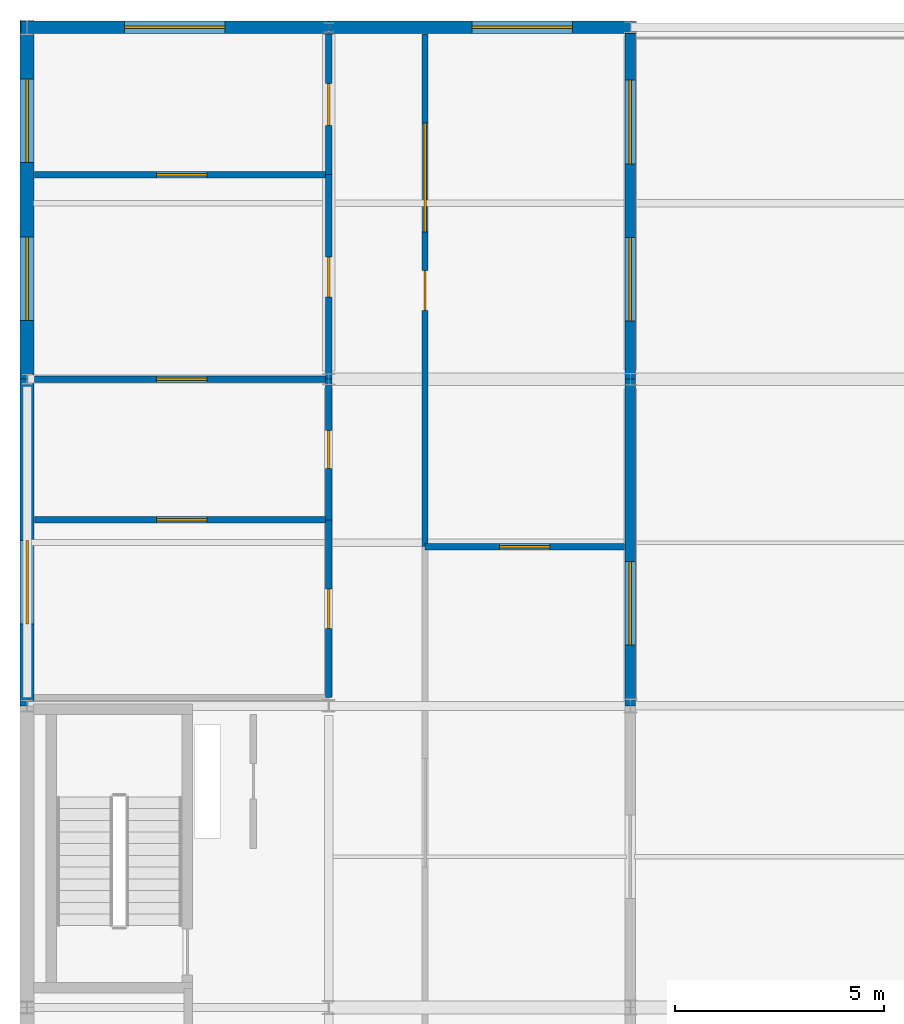
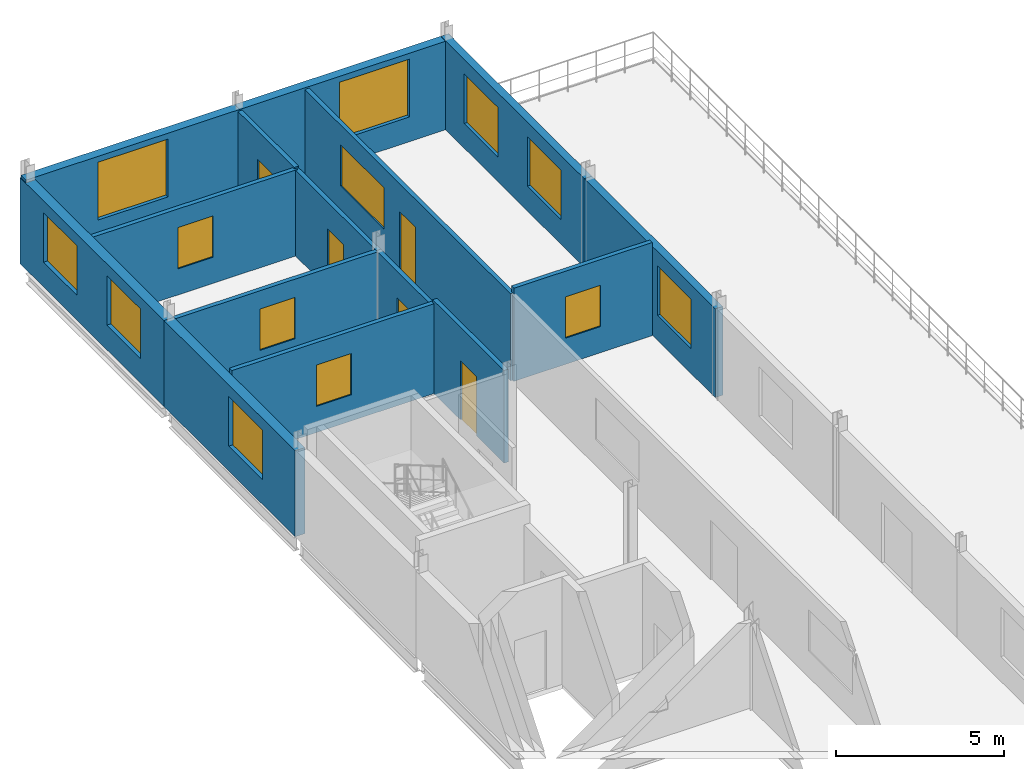
# One storey, part 10 of 14: 15 walls, 13 windows, 5 doors, 18 openings.
"""IFC4 building model written with IfcOpenShell, lengths in metres."""

from ifc_helpers import new_model, si_unit, direction, frame, frame_2d, origin, place, context, subcontext, project, spatial, rectangle, extrude, material, layer, layer_set, type_object, element, fill, save


model = new_model("IFC4")

# Units and contexts
model_context = context("Model", 3, precision=1e-05, world=origin(), true_north=direction((0.0, 1.0)))
body_context = subcontext(model_context, "Body", "Model", "MODEL_VIEW")
ifc_project = project(units=[si_unit("LENGTHUNIT", "METRE"), si_unit("AREAUNIT", "SQUARE_METRE"), si_unit("VOLUMEUNIT", "CUBIC_METRE"), si_unit("PLANEANGLEUNIT", "RADIAN"), si_unit("MASSUNIT", "GRAM", prefix="KILO")], contexts=[model_context])

# Site, building, storey
site_placement = place(None, origin())
site = spatial("IfcSite", under=ifc_project, at=site_placement, CompositionType="ELEMENT")
building_placement = place(site_placement, origin())
building = spatial("IfcBuilding", under=site, at=building_placement, Name="Vinh Khe Railworks Police Headquarters", CompositionType="ELEMENT")
storey_placement = place(building_placement, frame((0.0, 0.0, 32.699951171875)))
storey = spatial("IfcBuildingStorey", under=building, at=storey_placement, Name="L08", CompositionType="ELEMENT", Elevation=32.699951171875)

# Wall, opening, window
ifc_material_1 = material(Name="Clay brickwork", Category="masonry")
ifc_layer_1 = layer(ifc_material_1, 0.260009765625)
ifc_layer_set_1 = layer_set([ifc_layer_1], Name="Clay brickwork")
wall_type_1 = type_object("IfcWallType", Name="EW-BRK-260", PredefinedType="SOLIDWALL", material=ifc_layer_set_1)
wall_1_placement = place(storey_placement, frame((15.0, 88.199951171875, 0.0), z_axis=(0.0, 0.0, 1.0), x_axis=(0.0, 1.0, 0.0)))
wall_1 = element("IfcWall", 1, at=wall_1_placement, inside=storey, type_object=wall_type_1, Name="Exterior Brick Wall EW-L08-V5E-12", PredefinedType="SOLIDWALL", context=body_context, shape_type="SweptSolid", body=[
    extrude(rectangle(XDim=7.800048828125, YDim=0.260009765625, at=frame_2d((3.89990234375, 0.0))), origin(), (0.0, 0.0, 1.0), 3.22509765625),
])
opening_1_placement = place(wall_1_placement, frame((1.449951171875, 0.0, 0.89990234375)))
opening_1 = element("IfcOpeningElement", 2, at=opening_1_placement, cuts=wall_1, Name="Opening WN-04", PredefinedType="OPENING", context=body_context, shape_type="SweptSolid", body=[
    extrude(rectangle(XDim=2.0, YDim=1.800048828125, at=frame_2d((1.0, 0.89990234375))), frame((0.0, 0.14501953125, 0.0), z_axis=(0.0, -1.0, 0.0), x_axis=(1.0, 0.0, 0.0)), (0.0, 0.0, 1.0), 0.289794921875),
])
ifc_material_2 = material(Name="Double-glazed solar-control glass in dark steel frame", Category="steel")
window_type_1 = type_object("IfcWindowType", Name="WIN-WN-04", PartitioningType="DOUBLE_PANEL_VERTICAL", PredefinedType="WINDOW", material=ifc_material_2)
window_1_placement = place(opening_1_placement, origin())
window_1 = element("IfcWindow", 3, at=window_1_placement, inside=storey, type_object=window_type_1, Name="Casement Window WN-04", OverallHeight=1.800048828125, OverallWidth=2.0, PartitioningType="SINGLE_PANEL", PredefinedType="WINDOW", context=body_context, shape_type="SweptSolid", body=[
    extrude(rectangle(XDim=2.0, YDim=1.800048828125, at=frame_2d((1.0, 0.89990234375))), frame((0.0, 0.030029296875, 0.0), z_axis=(0.0, -1.0, 0.0), x_axis=(1.0, 0.0, 0.0)), (0.0, 0.0, 1.0), 0.06005859375),
])
fill(opening_1, window_1)

# Wall, openings, windows
wall_2_placement = place(storey_placement, frame((15.0, 96.0, 0.0), z_axis=(0.0, 0.0, 1.0), x_axis=(0.0, 1.0, 0.0)))
wall_2 = element("IfcWall", 4, at=wall_2_placement, inside=storey, type_object=wall_type_1, Name="Exterior Brick Wall EW-L08-V5E-13", PredefinedType="SOLIDWALL", context=body_context, shape_type="SweptSolid", body=[
    extrude(rectangle(XDim=8.530029296875, YDim=0.260009765625, at=frame_2d((4.26513671875, 0.0))), origin(), (0.0, 0.0, 1.0), 3.22509765625),
])
opening_2_placement = place(wall_2_placement, frame((1.388427734375, 0.0, 0.89990234375)))
opening_2 = element("IfcOpeningElement", 5, at=opening_2_placement, cuts=wall_2, Name="Opening WN-04", PredefinedType="OPENING", context=body_context, shape_type="SweptSolid", body=[
    extrude(rectangle(XDim=2.0, YDim=1.800048828125, at=frame_2d((1.0, 0.89990234375))), frame((0.0, 0.14501953125, 0.0), z_axis=(0.0, -1.0, 0.0), x_axis=(1.0, 0.0, 0.0)), (0.0, 0.0, 1.0), 0.289794921875),
])
opening_3_placement = place(wall_2_placement, frame((5.1416015625, 0.0, 0.89990234375)))
opening_3 = element("IfcOpeningElement", 6, at=opening_3_placement, cuts=wall_2, Name="Opening WN-04", PredefinedType="OPENING", context=body_context, shape_type="SweptSolid", body=[
    extrude(rectangle(XDim=2.0, YDim=1.800048828125, at=frame_2d((1.0, 0.89990234375))), frame((0.0, 0.14501953125, 0.0), z_axis=(0.0, -1.0, 0.0), x_axis=(1.0, 0.0, 0.0)), (0.0, 0.0, 1.0), 0.289794921875),
])
window_2_placement = place(opening_2_placement, origin())
window_2 = element("IfcWindow", 7, at=window_2_placement, inside=storey, type_object=window_type_1, Name="Casement Window WN-04", OverallHeight=1.800048828125, OverallWidth=2.0, PartitioningType="SINGLE_PANEL", PredefinedType="WINDOW", context=body_context, shape_type="SweptSolid", body=[
    extrude(rectangle(XDim=2.0, YDim=1.800048828125, at=frame_2d((1.0, 0.89990234375))), frame((0.0, 0.030029296875, 0.0), z_axis=(0.0, -1.0, 0.0), x_axis=(1.0, 0.0, 0.0)), (0.0, 0.0, 1.0), 0.06005859375),
])
fill(opening_2, window_2)
window_3_placement = place(opening_3_placement, origin())
window_3 = element("IfcWindow", 8, at=window_3_placement, inside=storey, type_object=window_type_1, Name="Casement Window WN-04", OverallHeight=1.800048828125, OverallWidth=2.0, PartitioningType="SINGLE_PANEL", PredefinedType="WINDOW", context=body_context, shape_type="SweptSolid", body=[
    extrude(rectangle(XDim=2.0, YDim=1.800048828125, at=frame_2d((1.0, 0.89990234375))), frame((0.0, 0.030029296875, 0.0), z_axis=(0.0, -1.0, 0.0), x_axis=(1.0, 0.0, 0.0)), (0.0, 0.0, 1.0), 0.06005859375),
])
fill(opening_3, window_3)

# Wall, opening, window
ifc_layer_2 = layer(ifc_material_1, 0.300048828125)
ifc_layer_set_2 = layer_set([ifc_layer_2], Name="Clay brickwork")
wall_type_2 = type_object("IfcWallType", Name="EW-BRK-300", PredefinedType="SOLIDWALL", material=ifc_layer_set_2)
wall_3_placement = place(storey_placement, frame((0.449951171875, 104.39990234375, 0.0), z_axis=(0.0, 0.0, 1.0), x_axis=(1.0, 0.0, 0.0)))
wall_3 = element("IfcWall", 9, at=wall_3_placement, inside=storey, type_object=wall_type_2, Name="Exterior Brick Wall EW-L08-V5N-01", PredefinedType="SOLIDWALL", context=body_context, shape_type="SweptSolid", body=[
    extrude(rectangle(XDim=7.35009765625, YDim=0.300048828125, at=frame_2d((3.675048828125, 0.0))), origin(), (0.0, 0.0, 1.0), 3.215087890625),
])
opening_4_placement = place(wall_3_placement, frame((2.47509765625, 0.0, 0.89990234375)))
opening_4 = element("IfcOpeningElement", 10, at=opening_4_placement, cuts=wall_3, Name="Opening WN-02", PredefinedType="OPENING", context=body_context, shape_type="SweptSolid", body=[
    extrude(rectangle(XDim=2.39990234375, YDim=2.10009765625, at=frame_2d((1.199951171875, 1.050048828125))), frame((0.0, 0.1650390625, 0.0), z_axis=(0.0, -1.0, 0.0), x_axis=(1.0, 0.0, 0.0)), (0.0, 0.0, 1.0), 0.329833984375),
])
window_type_2 = type_object("IfcWindowType", Name="WIN-WN-02", PartitioningType="DOUBLE_PANEL_VERTICAL", PredefinedType="WINDOW", material=ifc_material_2)
window_4_placement = place(opening_4_placement, origin())
window_4 = element("IfcWindow", 11, at=window_4_placement, inside=storey, type_object=window_type_2, Name="Casement Window WN-02", OverallHeight=2.10009765625, OverallWidth=2.39990234375, PartitioningType="SINGLE_PANEL", PredefinedType="WINDOW", context=body_context, shape_type="SweptSolid", body=[
    extrude(rectangle(XDim=2.39990234375, YDim=2.10009765625, at=frame_2d((1.199951171875, 1.050048828125))), frame((0.0, 0.030029296875, 0.0), z_axis=(0.0, -1.0, 0.0), x_axis=(1.0, 0.0, 0.0)), (0.0, 0.0, 1.0), 0.06005859375),
])
fill(opening_4, window_4)

wall_4_placement = place(storey_placement, frame((7.800048828125, 104.39990234375, 0.0), z_axis=(0.0, 0.0, 1.0), x_axis=(1.0, 0.0, 0.0)))
wall_4 = element("IfcWall", 12, at=wall_4_placement, inside=storey, type_object=wall_type_2, Name="Exterior Brick Wall EW-L08-V5N-02", PredefinedType="SOLIDWALL", context=body_context, shape_type="SweptSolid", body=[
    extrude(rectangle(XDim=7.349853515625, YDim=0.300048828125, at=frame_2d((3.6748046875, 0.0))), origin(), (0.0, 0.0, 1.0), 3.215087890625),
])
opening_5_placement = place(wall_4_placement, frame((3.425048828125, 0.0, 0.89990234375)))
opening_5 = element("IfcOpeningElement", 13, at=opening_5_placement, cuts=wall_4, Name="Opening WN-02", PredefinedType="OPENING", context=body_context, shape_type="SweptSolid", body=[
    extrude(rectangle(XDim=2.39990234375, YDim=2.10009765625, at=frame_2d((1.199951171875, 1.050048828125))), frame((0.0, 0.1650390625, 0.0), z_axis=(0.0, -1.0, 0.0), x_axis=(1.0, 0.0, 0.0)), (0.0, 0.0, 1.0), 0.329833984375),
])
window_5_placement = place(opening_5_placement, origin())
window_5 = element("IfcWindow", 14, at=window_5_placement, inside=storey, type_object=window_type_2, Name="Casement Window WN-02", OverallHeight=2.10009765625, OverallWidth=2.39990234375, PartitioningType="SINGLE_PANEL", PredefinedType="WINDOW", context=body_context, shape_type="SweptSolid", body=[
    extrude(rectangle(XDim=2.39990234375, YDim=2.10009765625, at=frame_2d((1.199951171875, 1.050048828125))), frame((0.0, 0.030029296875, 0.0), z_axis=(0.0, -1.0, 0.0), x_axis=(1.0, 0.0, 0.0)), (0.0, 0.0, 1.0), 0.06005859375),
])
fill(opening_5, window_5)

ifc_layer_3 = layer(ifc_material_1, 0.340087890625)
ifc_layer_set_3 = layer_set([ifc_layer_3], Name="Clay brickwork")
wall_type_3 = type_object("IfcWallType", Name="EW-BRK-340", PredefinedType="SOLIDWALL", material=ifc_layer_set_3)
wall_5_placement = place(storey_placement, frame((0.60009765625, 88.199951171875, 0.0), z_axis=(0.0, 0.0, 1.0), x_axis=(0.0, 1.0, 0.0)))
wall_5 = element("IfcWall", 15, at=wall_5_placement, inside=storey, type_object=wall_type_3, Name="Exterior Brick Wall EW-L08-V5W-12", PredefinedType="SOLIDWALL", context=body_context, shape_type="SweptSolid", body=[
    extrude(rectangle(XDim=7.800048828125, YDim=0.340087890625, at=frame_2d((3.89990234375, 0.0))), origin(), (0.0, 0.0, 1.0), 3.125),
])
opening_6_placement = place(wall_5_placement, frame((1.949951171875, 0.0, 0.89990234375)))
opening_6 = element("IfcOpeningElement", 16, at=opening_6_placement, cuts=wall_5, Name="Opening WN-04", PredefinedType="OPENING", context=body_context, shape_type="SweptSolid", body=[
    extrude(rectangle(XDim=2.0, YDim=1.800048828125, at=frame_2d((1.0, 0.89990234375))), frame((0.0, 0.18505859375, 0.0), z_axis=(0.0, -1.0, 0.0), x_axis=(1.0, 0.0, 0.0)), (0.0, 0.0, 1.0), 0.369873046875),
])
window_6_placement = place(opening_6_placement, origin())
window_6 = element("IfcWindow", 17, at=window_6_placement, inside=storey, type_object=window_type_1, Name="Casement Window WN-04", OverallHeight=1.800048828125, OverallWidth=2.0, PartitioningType="SINGLE_PANEL", PredefinedType="WINDOW", context=body_context, shape_type="SweptSolid", body=[
    extrude(rectangle(XDim=2.0, YDim=1.800048828125, at=frame_2d((1.0, 0.89990234375))), frame((0.0, 0.030029296875, 0.0), z_axis=(0.0, -1.0, 0.0), x_axis=(1.0, 0.0, 0.0)), (0.0, 0.0, 1.0), 0.06005859375),
])
fill(opening_6, window_6)

# Wall, openings, windows
wall_6_placement = place(storey_placement, frame((0.60009765625, 96.0, 0.0), z_axis=(0.0, 0.0, 1.0), x_axis=(0.0, 1.0, 0.0)))
wall_6 = element("IfcWall", 18, at=wall_6_placement, inside=storey, type_object=wall_type_3, Name="Exterior Brick Wall EW-L08-V5W-13", PredefinedType="SOLIDWALL", context=body_context, shape_type="SweptSolid", body=[
    extrude(rectangle(XDim=8.570068359375, YDim=0.340087890625, at=frame_2d((4.28515625, 0.0))), origin(), (0.0, 0.0, 1.0), 3.125),
])
opening_7_placement = place(wall_6_placement, frame((1.399658203125, 0.0, 0.89990234375)))
opening_7 = element("IfcOpeningElement", 19, at=opening_7_placement, cuts=wall_6, Name="Opening WN-04", PredefinedType="OPENING", context=body_context, shape_type="SweptSolid", body=[
    extrude(rectangle(XDim=2.0, YDim=1.800048828125, at=frame_2d((1.0, 0.89990234375))), frame((0.0, 0.18505859375, 0.0), z_axis=(0.0, -1.0, 0.0), x_axis=(1.0, 0.0, 0.0)), (0.0, 0.0, 1.0), 0.369873046875),
])
opening_8_placement = place(wall_6_placement, frame((5.17041015625, 0.0, 0.89990234375)))
opening_8 = element("IfcOpeningElement", 20, at=opening_8_placement, cuts=wall_6, Name="Opening WN-04", PredefinedType="OPENING", context=body_context, shape_type="SweptSolid", body=[
    extrude(rectangle(XDim=2.0, YDim=1.800048828125, at=frame_2d((1.0, 0.89990234375))), frame((0.0, 0.18505859375, 0.0), z_axis=(0.0, -1.0, 0.0), x_axis=(1.0, 0.0, 0.0)), (0.0, 0.0, 1.0), 0.369873046875),
])
window_7_placement = place(opening_7_placement, origin())
window_7 = element("IfcWindow", 21, at=window_7_placement, inside=storey, type_object=window_type_1, Name="Casement Window WN-04", OverallHeight=1.800048828125, OverallWidth=2.0, PartitioningType="SINGLE_PANEL", PredefinedType="WINDOW", context=body_context, shape_type="SweptSolid", body=[
    extrude(rectangle(XDim=2.0, YDim=1.800048828125, at=frame_2d((1.0, 0.89990234375))), frame((0.0, 0.030029296875, 0.0), z_axis=(0.0, -1.0, 0.0), x_axis=(1.0, 0.0, 0.0)), (0.0, 0.0, 1.0), 0.06005859375),
])
fill(opening_7, window_7)
window_8_placement = place(opening_8_placement, origin())
window_8 = element("IfcWindow", 22, at=window_8_placement, inside=storey, type_object=window_type_1, Name="Casement Window WN-04", OverallHeight=1.800048828125, OverallWidth=2.0, PartitioningType="SINGLE_PANEL", PredefinedType="WINDOW", context=body_context, shape_type="SweptSolid", body=[
    extrude(rectangle(XDim=2.0, YDim=1.800048828125, at=frame_2d((1.0, 0.89990234375))), frame((0.0, 0.030029296875, 0.0), z_axis=(0.0, -1.0, 0.0), x_axis=(1.0, 0.0, 0.0)), (0.0, 0.0, 1.0), 0.06005859375),
])
fill(opening_8, window_8)

# Wall, opening, window
ifc_material_3 = material(Name="Gypsum plasterboard on steel stud", Category="steel")
ifc_layer_4 = layer(ifc_material_3, 0.1201171875)
ifc_layer_set_4 = layer_set([ifc_layer_4], Name="Gypsum plasterboard on steel stud")
wall_type_4 = type_object("IfcWallType", Name="IW-PART-120", PredefinedType="PARTITIONING", material=ifc_layer_set_4)
wall_7_placement = place(storey_placement, frame((0.780029296875, 92.64208984375, 0.0), z_axis=(0.0, 0.0, 1.0), x_axis=(1.0, 0.0, 0.0)))
wall_7 = element("IfcWall", 23, at=wall_7_placement, inside=storey, type_object=wall_type_4, Name="Interior Partition W-L08-V5-WCL8S-DIV", PredefinedType="PARTITIONING", context=body_context, shape_type="SweptSolid", body=[
    extrude(rectangle(XDim=7.02001953125, YDim=0.14990234375, at=frame_2d((3.510009765625, 0.0))), origin(), (0.0, 0.0, 1.0), 3.26513671875),
])
opening_9_placement = place(wall_7_placement, frame((2.909912109375, 0.0, 0.949951171875)))
opening_9 = element("IfcOpeningElement", 24, at=opening_9_placement, cuts=wall_7, Name="Opening WN-10", PredefinedType="OPENING", context=body_context, shape_type="SweptSolid", body=[
    extrude(rectangle(XDim=1.199951171875, YDim=1.5, at=frame_2d((0.60009765625, 0.75))), frame((0.0, 0.08984375, 0.0), z_axis=(0.0, -1.0, 0.0), x_axis=(1.0, 0.0, 0.0)), (0.0, 0.0, 1.0), 0.1796875),
])
window_type_3 = type_object("IfcWindowType", Name="WIN-WN-10", PartitioningType="SINGLE_PANEL", PredefinedType="WINDOW", material=ifc_material_2)
window_9_placement = place(opening_9_placement, origin())
window_9 = element("IfcWindow", 25, at=window_9_placement, inside=storey, type_object=window_type_3, Name="Interior Acoustic Vision Window WN-10", OverallHeight=1.5, OverallWidth=1.199951171875, PartitioningType="SINGLE_PANEL", PredefinedType="WINDOW", context=body_context, shape_type="SweptSolid", body=[
    extrude(rectangle(XDim=1.199951171875, YDim=1.5, at=frame_2d((0.60009765625, 0.75))), frame((0.0, 0.030029296875, 0.0), z_axis=(0.0, -1.0, 0.0), x_axis=(1.0, 0.0, 0.0)), (0.0, 0.0, 1.0), 0.06005859375),
])
fill(opening_9, window_9)

wall_8_placement = place(storey_placement, frame((0.780029296875, 100.882080078125, 0.0), z_axis=(0.0, 0.0, 1.0), x_axis=(1.0, 0.0, 0.0)))
wall_8 = element("IfcWall", 26, at=wall_8_placement, inside=storey, type_object=wall_type_4, Name="Interior Partition W-L08-V5-AWCL8S-DIV", PredefinedType="PARTITIONING", context=body_context, shape_type="SweptSolid", body=[
    extrude(rectangle(XDim=7.02001953125, YDim=0.14990234375, at=frame_2d((3.510009765625, 0.0))), origin(), (0.0, 0.0, 1.0), 3.125),
])
opening_10_placement = place(wall_8_placement, frame((2.909912109375, 0.0, 0.949951171875)))
opening_10 = element("IfcOpeningElement", 27, at=opening_10_placement, cuts=wall_8, Name="Opening WN-10", PredefinedType="OPENING", context=body_context, shape_type="SweptSolid", body=[
    extrude(rectangle(XDim=1.199951171875, YDim=1.5, at=frame_2d((0.60009765625, 0.75))), frame((0.0, 0.08984375, 0.0), z_axis=(0.0, -1.0, 0.0), x_axis=(1.0, 0.0, 0.0)), (0.0, 0.0, 1.0), 0.1796875),
])
window_10_placement = place(opening_10_placement, origin())
window_10 = element("IfcWindow", 28, at=window_10_placement, inside=storey, type_object=window_type_3, Name="Interior Acoustic Vision Window WN-10", OverallHeight=1.5, OverallWidth=1.199951171875, PartitioningType="SINGLE_PANEL", PredefinedType="WINDOW", context=body_context, shape_type="SweptSolid", body=[
    extrude(rectangle(XDim=1.199951171875, YDim=1.5, at=frame_2d((0.60009765625, 0.75))), frame((0.0, 0.030029296875, 0.0), z_axis=(0.0, -1.0, 0.0), x_axis=(1.0, 0.0, 0.0)), (0.0, 0.0, 1.0), 0.06005859375),
])
fill(opening_10, window_10)

wall_9_placement = place(storey_placement, frame((0.780029296875, 96.0, 0.0), z_axis=(0.0, 0.0, 1.0), x_axis=(1.0, 0.0, 0.0)))
wall_9 = element("IfcWall", 29, at=wall_9_placement, inside=storey, type_object=wall_type_4, Name="Interior Partition W-L08-V5-AWCL8-DIV", PredefinedType="PARTITIONING", context=body_context, shape_type="SweptSolid", body=[
    extrude(rectangle(XDim=7.02001953125, YDim=0.14990234375, at=frame_2d((3.510009765625, 0.0))), origin(), (0.0, 0.0, 1.0), 3.114990234375),
])
opening_11_placement = place(wall_9_placement, frame((2.909912109375, 0.0, 0.949951171875)))
opening_11 = element("IfcOpeningElement", 30, at=opening_11_placement, cuts=wall_9, Name="Opening WN-10", PredefinedType="OPENING", context=body_context, shape_type="SweptSolid", body=[
    extrude(rectangle(XDim=1.199951171875, YDim=1.5, at=frame_2d((0.60009765625, 0.75))), frame((0.0, 0.08984375, 0.0), z_axis=(0.0, -1.0, 0.0), x_axis=(1.0, 0.0, 0.0)), (0.0, 0.0, 1.0), 0.1796875),
])
window_11_placement = place(opening_11_placement, origin())
window_11 = element("IfcWindow", 31, at=window_11_placement, inside=storey, type_object=window_type_3, Name="Interior Acoustic Vision Window WN-10", OverallHeight=1.5, OverallWidth=1.199951171875, PartitioningType="SINGLE_PANEL", PredefinedType="WINDOW", context=body_context, shape_type="SweptSolid", body=[
    extrude(rectangle(XDim=1.199951171875, YDim=1.5, at=frame_2d((0.60009765625, 0.75))), frame((0.0, 0.030029296875, 0.0), z_axis=(0.0, -1.0, 0.0), x_axis=(1.0, 0.0, 0.0)), (0.0, 0.0, 1.0), 0.06005859375),
])
fill(opening_11, window_11)

wall_10_placement = place(storey_placement, frame((10.10009765625, 92.0, 0.0), z_axis=(0.0, 0.0, 1.0), x_axis=(1.0, 0.0, 0.0)))
wall_10 = element("IfcWall", 32, at=wall_10_placement, inside=storey, type_object=wall_type_4, Name="Interior Partition W-L08-V5-PAN8-DIV", PredefinedType="PARTITIONING", context=body_context, shape_type="SweptSolid", body=[
    extrude(rectangle(XDim=4.760009765625, YDim=0.14990234375, at=frame_2d((2.3798828125, 0.0))), origin(), (0.0, 0.0, 1.0), 3.385009765625),
])
opening_12_placement = place(wall_10_placement, frame((1.780029296875, 0.0, 0.949951171875)))
opening_12 = element("IfcOpeningElement", 33, at=opening_12_placement, cuts=wall_10, Name="Opening WN-10", PredefinedType="OPENING", context=body_context, shape_type="SweptSolid", body=[
    extrude(rectangle(XDim=1.199951171875, YDim=1.5, at=frame_2d((0.60009765625, 0.75))), frame((0.0, 0.08984375, 0.0), z_axis=(0.0, -1.0, 0.0), x_axis=(1.0, 0.0, 0.0)), (0.0, 0.0, 1.0), 0.1796875),
])
window_12_placement = place(opening_12_placement, origin())
window_12 = element("IfcWindow", 34, at=window_12_placement, inside=storey, type_object=window_type_3, Name="Interior Acoustic Vision Window WN-10", OverallHeight=1.5, OverallWidth=1.199951171875, PartitioningType="SINGLE_PANEL", PredefinedType="WINDOW", context=body_context, shape_type="SweptSolid", body=[
    extrude(rectangle(XDim=1.199951171875, YDim=1.5, at=frame_2d((0.60009765625, 0.75))), frame((0.0, 0.030029296875, 0.0), z_axis=(0.0, -1.0, 0.0), x_axis=(1.0, 0.0, 0.0)), (0.0, 0.0, 1.0), 0.06005859375),
])
fill(opening_12, window_12)

# Wall, opening, door
ifc_material_4 = material(Name="Gypsum plasterboard on acoustic steel stud", Category="steel")
ifc_layer_5 = layer(ifc_material_4, 0.14990234375)
ifc_layer_set_5 = layer_set([ifc_layer_5], Name="Gypsum plasterboard on acoustic steel stud")
wall_type_5 = type_object("IfcWallType", Name="IW-PART-150", PredefinedType="PARTITIONING", material=ifc_layer_set_5)
wall_11_placement = place(storey_placement, frame((7.800048828125, 88.39990234375, 0.0), z_axis=(0.0, 0.0, 1.0), x_axis=(0.0, 1.0, 0.0)))
wall_11 = element("IfcWall", 35, at=wall_11_placement, inside=storey, type_object=wall_type_5, Name="Interior Partition W-L08-V5-WCL8S-CW", PredefinedType="PARTITIONING", context=body_context, shape_type="SweptSolid", body=[
    extrude(rectangle(XDim=4.2421875, YDim=0.14990234375, at=frame_2d((2.12109375, 0.0))), origin(), (0.0, 0.0, 1.0), 3.364990234375),
])
opening_13_placement = place(wall_11_placement, frame((1.64599609375, 0.0, 0.0)))
opening_13 = element("IfcOpeningElement", 36, at=opening_13_placement, cuts=wall_11, Name="Opening D-01", PredefinedType="OPENING", context=body_context, shape_type="SweptSolid", body=[
    extrude(rectangle(XDim=0.949951171875, YDim=2.14990234375, at=frame_2d((0.47509765625, 1.074951171875))), frame((0.0, 0.08984375, 0.0), z_axis=(0.0, -1.0, 0.0), x_axis=(1.0, 0.0, 0.0)), (0.0, 0.0, 1.0), 0.1796875),
])
ifc_material_5 = material(Name="Seasoned hardwood timber", Category="wood")
door_type_1 = type_object("IfcDoorType", Name="ID-950x2150", OperationType="NOTDEFINED", PredefinedType="DOOR", material=ifc_material_5)
door_1_placement = place(opening_13_placement, origin())
door_1 = element("IfcDoor", 37, at=door_1_placement, inside=storey, type_object=door_type_1, Name="Floor Supplies Store Door", OperationType="SINGLE_SWING_RIGHT", OverallHeight=2.14990234375, OverallWidth=0.949951171875, PredefinedType="DOOR", context=body_context, shape_type="SweptSolid", body=[
    extrude(rectangle(XDim=0.949951171875, YDim=2.14990234375, at=frame_2d((0.47509765625, 1.074951171875))), frame((0.0, 0.02490234375, 0.0), z_axis=(0.0, -1.0, 0.0), x_axis=(1.0, 0.0, 0.0)), (0.0, 0.0, 1.0), 0.050048828125),
])
fill(opening_13, door_1)

wall_12_placement = place(storey_placement, frame((7.800048828125, 92.64208984375, 0.0), z_axis=(0.0, 0.0, 1.0), x_axis=(0.0, 1.0, 0.0)))
wall_12 = element("IfcWall", 38, at=wall_12_placement, inside=storey, type_object=wall_type_5, Name="Interior Partition W-L08-V5-WCL8-CW", PredefinedType="PARTITIONING", context=body_context, shape_type="SweptSolid", body=[
    extrude(rectangle(XDim=3.35791015625, YDim=0.14990234375, at=frame_2d((1.678955078125, 0.0))), origin(), (0.0, 0.0, 1.0), 3.114990234375),
])
opening_14_placement = place(wall_12_placement, frame((1.22900390625, 0.0, 0.0)))
opening_14 = element("IfcOpeningElement", 39, at=opening_14_placement, cuts=wall_12, Name="Opening D-04", PredefinedType="OPENING", context=body_context, shape_type="SweptSolid", body=[
    extrude(rectangle(XDim=0.89990234375, YDim=2.14990234375, at=frame_2d((0.449951171875, 1.074951171875))), frame((0.0, 0.08984375, 0.0), z_axis=(0.0, -1.0, 0.0), x_axis=(1.0, 0.0, 0.0)), (0.0, 0.0, 1.0), 0.1796875),
])
door_type_2 = type_object("IfcDoorType", Name="ID-900x2150", OperationType="NOTDEFINED", PredefinedType="DOOR", material=ifc_material_5)
door_2_placement = place(opening_14_placement, origin())
door_2 = element("IfcDoor", 40, at=door_2_placement, inside=storey, type_object=door_type_2, Name="Staff WC L08 Door", OperationType="SINGLE_SWING_LEFT", OverallHeight=2.14990234375, OverallWidth=0.89990234375, PredefinedType="DOOR", context=body_context, shape_type="SweptSolid", body=[
    extrude(rectangle(XDim=0.89990234375, YDim=2.14990234375, at=frame_2d((0.449951171875, 1.074951171875))), frame((0.0, 0.02490234375, 0.0), z_axis=(0.0, -1.0, 0.0), x_axis=(1.0, 0.0, 0.0)), (0.0, 0.0, 1.0), 0.050048828125),
])
fill(opening_14, door_2)

wall_13_placement = place(storey_placement, frame((7.800048828125, 96.0, 0.0), z_axis=(0.0, 0.0, 1.0), x_axis=(0.0, 1.0, 0.0)))
wall_13 = element("IfcWall", 41, at=wall_13_placement, inside=storey, type_object=wall_type_5, Name="Interior Partition W-L08-V5-AWCL8S-CW", PredefinedType="PARTITIONING", context=body_context, shape_type="SweptSolid", body=[
    extrude(rectangle(XDim=4.882080078125, YDim=0.14990234375, at=frame_2d((2.44091796875, 0.0))), origin(), (0.0, 0.0, 1.0), 3.114990234375),
])
opening_15_placement = place(wall_13_placement, frame((1.966064453125, 0.0, 0.0)))
opening_15 = element("IfcOpeningElement", 42, at=opening_15_placement, cuts=wall_13, Name="Opening D-01", PredefinedType="OPENING", context=body_context, shape_type="SweptSolid", body=[
    extrude(rectangle(XDim=0.949951171875, YDim=2.14990234375, at=frame_2d((0.47509765625, 1.074951171875))), frame((0.0, 0.08984375, 0.0), z_axis=(0.0, -1.0, 0.0), x_axis=(1.0, 0.0, 0.0)), (0.0, 0.0, 1.0), 0.1796875),
])
door_3_placement = place(opening_15_placement, origin())
door_3 = element("IfcDoor", 43, at=door_3_placement, inside=storey, type_object=door_type_1, Name="Floor Supplies Store Door", OperationType="SINGLE_SWING_RIGHT", OverallHeight=2.14990234375, OverallWidth=0.949951171875, PredefinedType="DOOR", context=body_context, shape_type="SweptSolid", body=[
    extrude(rectangle(XDim=0.949951171875, YDim=2.14990234375, at=frame_2d((0.47509765625, 1.074951171875))), frame((0.0, 0.02490234375, 0.0), z_axis=(0.0, -1.0, 0.0), x_axis=(1.0, 0.0, 0.0)), (0.0, 0.0, 1.0), 0.050048828125),
])
fill(opening_15, door_3)

wall_14_placement = place(storey_placement, frame((7.800048828125, 100.882080078125, 0.0), z_axis=(0.0, 0.0, 1.0), x_axis=(0.0, 1.0, 0.0)))
wall_14 = element("IfcWall", 44, at=wall_14_placement, inside=storey, type_object=wall_type_5, Name="Interior Partition W-L08-V5-AWCL8-CW", PredefinedType="PARTITIONING", context=body_context, shape_type="SweptSolid", body=[
    extrude(rectangle(XDim=3.35791015625, YDim=0.14990234375, at=frame_2d((1.678955078125, 0.0))), origin(), (0.0, 0.0, 1.0), 3.175048828125),
])
opening_16_placement = place(wall_14_placement, frame((1.178955078125, 0.0, 0.0)))
opening_16 = element("IfcOpeningElement", 45, at=opening_16_placement, cuts=wall_14, Name="Opening D-05", PredefinedType="OPENING", context=body_context, shape_type="SweptSolid", body=[
    extrude(rectangle(XDim=1.0, YDim=2.14990234375, at=frame_2d((0.5, 1.074951171875))), frame((0.0, 0.08984375, 0.0), z_axis=(0.0, -1.0, 0.0), x_axis=(1.0, 0.0, 0.0)), (0.0, 0.0, 1.0), 0.1796875),
])
door_type_3 = type_object("IfcDoorType", Name="ID-1000x2150", OperationType="NOTDEFINED", PredefinedType="DOOR", material=ifc_material_5)
door_4_placement = place(opening_16_placement, origin())
door_4 = element("IfcDoor", 46, at=door_4_placement, inside=storey, type_object=door_type_3, Name="Accessible WC L08 Door", OperationType="SINGLE_SWING_LEFT", OverallHeight=2.14990234375, OverallWidth=1.0, PredefinedType="DOOR", context=body_context, shape_type="SweptSolid", body=[
    extrude(rectangle(XDim=1.0, YDim=2.14990234375, at=frame_2d((0.5, 1.074951171875))), frame((0.0, 0.02490234375, 0.0), z_axis=(0.0, -1.0, 0.0), x_axis=(1.0, 0.0, 0.0)), (0.0, 0.0, 1.0), 0.050048828125),
])
fill(opening_16, door_4)

# Wall, openings, door, window
wall_15_placement = place(storey_placement, frame((10.10009765625, 92.0, 0.0), z_axis=(0.0, 0.0, 1.0), x_axis=(0.0, 1.0, 0.0)))
wall_15 = element("IfcWall", 47, at=wall_15_placement, inside=storey, type_object=wall_type_5, Name="Interior Partition W-L08-V5-PAN8-CE", PredefinedType="PARTITIONING", context=body_context, shape_type="SweptSolid", body=[
    extrude(rectangle(XDim=12.239990234375, YDim=0.14990234375, at=frame_2d((6.1201171875, 0.0))), origin(), (0.0, 0.0, 1.0), 3.1650390625),
])
opening_17_placement = place(wall_15_placement, frame((5.64501953125, 0.0, 0.0)))
opening_17 = element("IfcOpeningElement", 48, at=opening_17_placement, cuts=wall_15, Name="Opening D-01", PredefinedType="OPENING", context=body_context, shape_type="SweptSolid", body=[
    extrude(rectangle(XDim=0.949951171875, YDim=2.14990234375, at=frame_2d((0.47509765625, 1.074951171875))), frame((0.0, 0.08984375, 0.0), z_axis=(0.0, -1.0, 0.0), x_axis=(1.0, 0.0, 0.0)), (0.0, 0.0, 1.0), 0.1796875),
])
opening_18_placement = place(wall_15_placement, frame((7.5126953125, 0.0, 0.949951171875)))
opening_18 = element("IfcOpeningElement", 49, at=opening_18_placement, cuts=wall_15, Name="Opening WN-07", PredefinedType="OPENING", context=body_context, shape_type="SweptSolid", body=[
    extrude(rectangle(XDim=2.60009765625, YDim=1.5, at=frame_2d((1.300048828125, 0.75))), frame((0.0, 0.08984375, 0.0), z_axis=(0.0, -1.0, 0.0), x_axis=(1.0, 0.0, 0.0)), (0.0, 0.0, 1.0), 0.1796875),
])
door_5_placement = place(opening_17_placement, origin())
door_5 = element("IfcDoor", 50, at=door_5_placement, inside=storey, type_object=door_type_1, Name="Executive Hospitality Pantry Door", OperationType="SINGLE_SWING_RIGHT", OverallHeight=2.14990234375, OverallWidth=0.949951171875, PredefinedType="DOOR", context=body_context, shape_type="SweptSolid", body=[
    extrude(rectangle(XDim=0.949951171875, YDim=2.14990234375, at=frame_2d((0.47509765625, 1.074951171875))), frame((0.0, 0.02490234375, 0.0), z_axis=(0.0, -1.0, 0.0), x_axis=(1.0, 0.0, 0.0)), (0.0, 0.0, 1.0), 0.050048828125),
])
fill(opening_17, door_5)
window_type_4 = type_object("IfcWindowType", Name="WIN-WN-07", PartitioningType="DOUBLE_PANEL_HORIZONTAL", PredefinedType="WINDOW", material=ifc_material_2)
window_13_placement = place(opening_18_placement, origin())
window_13 = element("IfcWindow", 51, at=window_13_placement, inside=storey, type_object=window_type_4, Name="Interior Acoustic Vision Window WN-07", OverallHeight=1.5, OverallWidth=2.60009765625, PartitioningType="SINGLE_PANEL", PredefinedType="WINDOW", context=body_context, shape_type="SweptSolid", body=[
    extrude(rectangle(XDim=2.60009765625, YDim=1.5, at=frame_2d((1.300048828125, 0.75))), frame((0.0, 0.030029296875, 0.0), z_axis=(0.0, -1.0, 0.0), x_axis=(1.0, 0.0, 0.0)), (0.0, 0.0, 1.0), 0.06005859375),
])
fill(opening_18, window_13)

save(model, "model.ifc")
